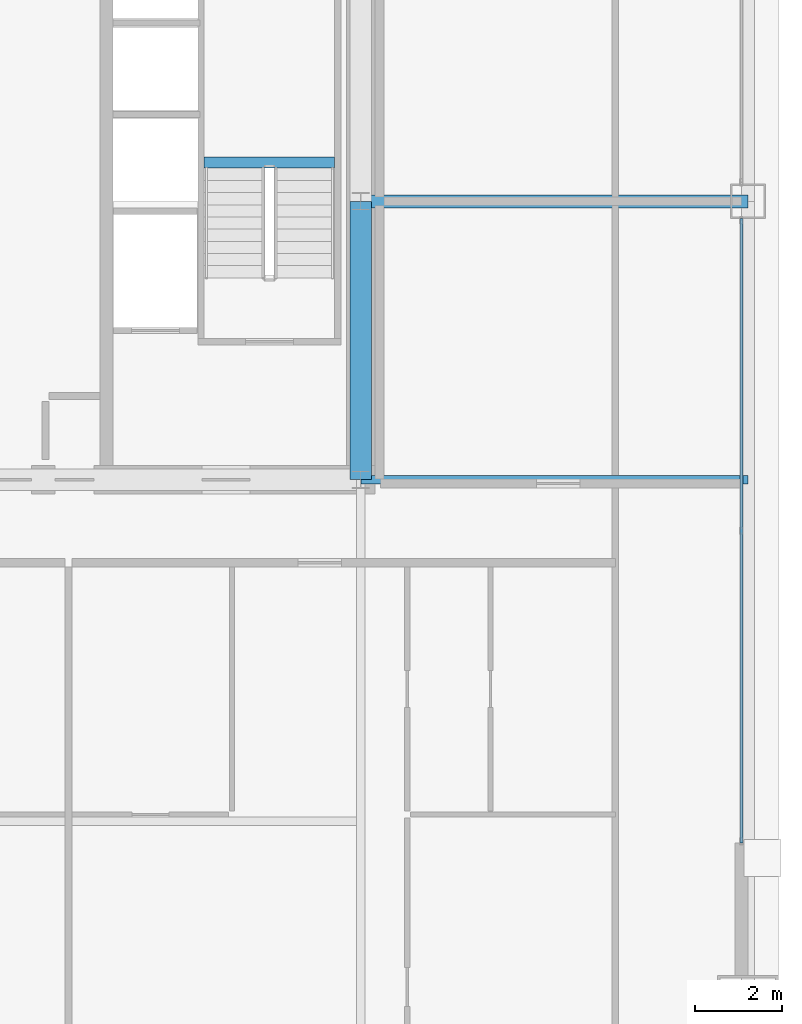
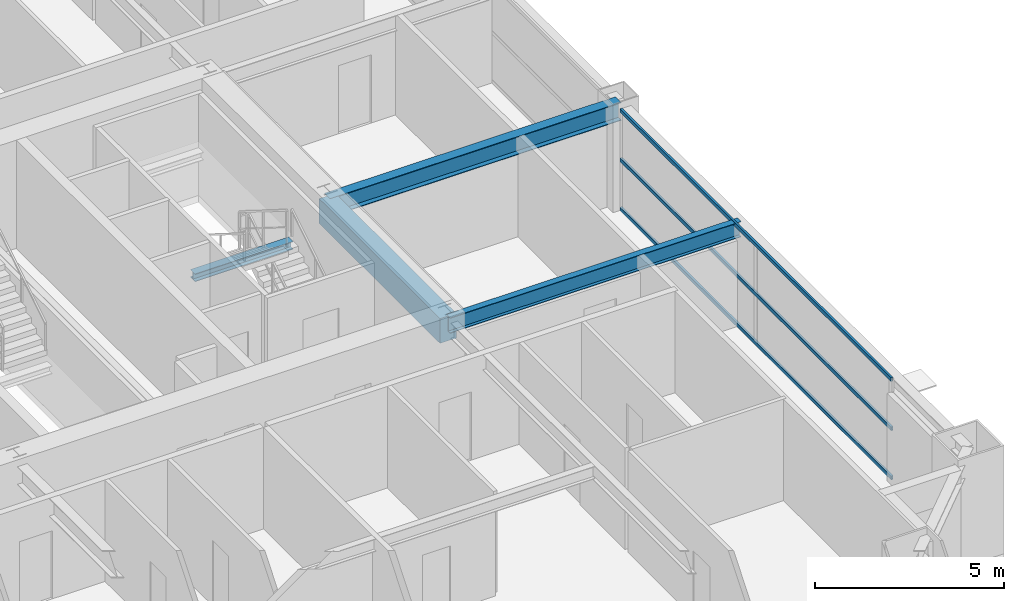
# One storey, part 19 of 38: 4 beams, 3 members, 1 element without a shape of its own.
"""IFC4 building model written with IfcOpenShell, lengths in metres."""

from ifc_helpers import new_model, si_unit, direction, frame, origin, origin_2d, place, context, subcontext, project, spatial, rectangle, hollow_rectangle, i_section, extrude, source, transform, mapped, material, layer, layer_set, material_profile, profile_set, type_object, element, aggregate, save


model = new_model("IFC4")

# Units and contexts
model_context = context("Model", 3, precision=1e-05, world=origin(), true_north=direction((0.0, 1.0)))
body_context = subcontext(model_context, "Body", "Model", "MODEL_VIEW")
ifc_project = project(units=[si_unit("LENGTHUNIT", "METRE"), si_unit("AREAUNIT", "SQUARE_METRE"), si_unit("VOLUMEUNIT", "CUBIC_METRE"), si_unit("PLANEANGLEUNIT", "RADIAN"), si_unit("MASSUNIT", "GRAM", prefix="KILO"), si_unit("THERMODYNAMICTEMPERATUREUNIT", "KELVIN"), si_unit("POWERUNIT", "WATT")], contexts=[model_context])

# Site, building, storey
site_placement = place(None, origin())
site = spatial("IfcSite", under=ifc_project, at=site_placement, CompositionType="ELEMENT")
building_placement = place(site_placement, origin())
building = spatial("IfcBuilding", under=site, at=building_placement, Name="Yuzanri Waterfront Tower", CompositionType="ELEMENT")
storey_placement = place(building_placement, frame((0.0, 0.0, 202.0)))
storey = spatial("IfcBuildingStorey", under=building, at=storey_placement, Name="L53", CompositionType="ELEMENT", Elevation=202.0)

# Beams
ifc_material_1 = material(Name="Steel Q355B", Category="steel")
ifc_material_profile_1 = material_profile(ifc_material_1, i_section(OverallWidth=0.300048828125, OverallDepth=0.587890625, WebThickness=0.011962890625, FlangeThickness=0.02001953125, at=origin_2d()), Name="HM 588x300x12x20")
ifc_profile_set_1 = profile_set([ifc_material_profile_1], Name="Steel Q355B")
beam_type_1 = type_object("IfcBeamType", Name="Primary Floor Girder Q355B HM 588x300", PredefinedType="BEAM", material=ifc_profile_set_1)
shared_shape_1 = source(origin(), body_context, "Body", "SweptSolid", [
    extrude(i_section(OverallWidth=0.300048828125, OverallDepth=0.587890625, WebThickness=0.011962890625, FlangeThickness=0.02001953125, at=origin_2d()), origin(), (0.0, 0.0, 1.0), 8.900146484375),
])
beam_1_placement = place(storey_placement, frame((50.199951171875, 25.800048828125, 2.986083984375), z_axis=(1.0, 0.0, 0.0), x_axis=(0.0, 1.0, 0.0)))
element("IfcBeam", 1, at=beam_1_placement, inside=storey, type_object=beam_type_1, Name="L53 East Grid Girder", PredefinedType="BEAM", context=body_context, shape_type="MappedRepresentation", body=[
    mapped(shared_shape_1, transform((0.0, 0.0, 0.0), scale=1.0)),
])
ifc_material_2 = material(Name="Steel Q355B", Category="steel")
ifc_material_profile_2 = material_profile(ifc_material_2, i_section(OverallWidth=0.199951171875, OverallDepth=0.5, WebThickness=0.010009765625, FlangeThickness=0.01611328125, at=origin_2d()), Name="HN 500x200x10x16")
ifc_profile_set_2 = profile_set([ifc_material_profile_2], Name="Steel Q355B")
beam_type_2 = type_object("IfcBeamType", Name="Secondary Floor Beam Q355B HN 500x200", PredefinedType="BEAM", material=ifc_profile_set_2)
shared_shape_2 = source(origin(), body_context, "Body", "SweptSolid", [
    extrude(i_section(OverallWidth=0.199951171875, OverallDepth=0.5, WebThickness=0.010009765625, FlangeThickness=0.01611328125, at=origin_2d()), origin(), (0.0, 0.0, 1.0), 8.900146484375),
])
beam_2_placement = place(storey_placement, frame((50.199951171875, 19.39990234375, 3.030029296875), z_axis=(1.0, 0.0, 0.0), x_axis=(0.0, 1.0, 0.0)))
element("IfcBeam", 2, at=beam_2_placement, inside=storey, type_object=beam_type_2, Name="L53 East-South Core Line Beam", PredefinedType="BEAM", context=body_context, shape_type="MappedRepresentation", body=[
    mapped(shared_shape_2, transform((0.0, 0.0, 0.0), scale=1.0)),
])
ifc_material_3 = material(Name="Concrete C50", Category="concrete")
ifc_material_profile_3 = material_profile(ifc_material_3, rectangle(XDim=0.5, YDim=0.800048828125, at=origin_2d()), Name="RC 500x800")
ifc_profile_set_3 = profile_set([ifc_material_profile_3], Name="Concrete C50")
beam_type_3 = type_object("IfcBeamType", Name="Core Coupling Lintel Concrete C50 500x800", PredefinedType="LINTEL", material=ifc_profile_set_3)
shared_shape_3 = source(origin(), body_context, "Body", "SweptSolid", [
    extrude(rectangle(XDim=0.5, YDim=0.800048828125, at=origin_2d()), origin(), (0.0, 0.0, 1.0), 6.400146484375),
])
beam_3_placement = place(storey_placement, frame((50.199951171875, 19.39990234375, 2.8798828125), z_axis=(0.0, 1.0, 0.0), x_axis=(-1.0, 0.0, 0.0)))
element("IfcBeam", 3, at=beam_3_placement, inside=storey, type_object=beam_type_3, Name="L53 Core Tie Beam CE1", PredefinedType="LINTEL", context=body_context, shape_type="MappedRepresentation", body=[
    mapped(shared_shape_3, transform((0.0, 0.0, 0.0), scale=1.0)),
])

# Curtain wall, members
ifc_material_4 = material(Name="Anodized Architectural Bronze", Category="metal")
ifc_layer = layer(ifc_material_4, 0.159912109375)
ifc_layer_set = layer_set([ifc_layer], Name="Anodized Architectural Bronze")
curtain_wall_type = type_object("IfcCurtainWallType", Name="Anodized Bronze Mid-Rise Residential Acoustic Unitized Curtain Wall 7200", PredefinedType="NOTDEFINED", material=ifc_layer_set)
curtain_wall_placement = place(storey_placement, origin())
curtain_wall = element("IfcCurtainWall", 4, at=curtain_wall_placement, inside=storey, type_object=curtain_wall_type, Name="L53 Curtain Wall CW-L53-EL", PredefinedType="NOTDEFINED")
ifc_material_5 = material(Name="Anodized Architectural Bronze", Category="metal")
ifc_material_profile_4 = material_profile(ifc_material_5, hollow_rectangle(XDim=0.06494140625, YDim=0.1201171875, WallThickness=0.00341796875, at=origin_2d()), Name="CWT 65x120")
ifc_profile_set_4 = profile_set([ifc_material_profile_4], Name="Anodized Architectural Bronze")
member_type = type_object("IfcMemberType", Name="Anodized Bronze Secondary Curtain-Wall Transom 65x120", PredefinedType="USERDEFINED", material=ifc_profile_set_4)
shared_shape_4 = source(origin(), body_context, "Body", "SweptSolid", [
    extrude(hollow_rectangle(XDim=0.06494140625, YDim=0.1201171875, WallThickness=0.00341796875, at=origin_2d()), origin(), (0.0, 0.0, 1.0), 14.349853515625),
])
member_1_placement = place(storey_placement, frame((58.949951171875, 11.050048828125, 0.050048828125), z_axis=(0.0, 1.0, 0.0), x_axis=(-1.0, 0.0, 0.0)))
member_1 = element("IfcMember", 5, at=member_1_placement, type_object=member_type, Name="CW-L53-EL Transom 1", ObjectType="TRANSOM", PredefinedType="USERDEFINED", context=body_context, shape_type="MappedRepresentation", body=[
    mapped(shared_shape_4, transform((0.0, 0.0, 0.0), scale=1.0)),
])
member_2_placement = place(storey_placement, frame((58.949951171875, 11.050048828125, 1.639892578125), z_axis=(0.0, 1.0, 0.0), x_axis=(-1.0, 0.0, 0.0)))
member_2 = element("IfcMember", 6, at=member_2_placement, type_object=member_type, Name="CW-L53-EL Transom 2", ObjectType="TRANSOM", PredefinedType="USERDEFINED", context=body_context, shape_type="MappedRepresentation", body=[
    mapped(shared_shape_4, transform((0.0, 0.0, 0.0), scale=1.0)),
])
member_3_placement = place(storey_placement, frame((58.949951171875, 11.050048828125, 3.22998046875), z_axis=(0.0, 1.0, 0.0), x_axis=(-1.0, 0.0, 0.0)))
member_3 = element("IfcMember", 7, at=member_3_placement, type_object=member_type, Name="CW-L53-EL Transom 3", ObjectType="TRANSOM", PredefinedType="USERDEFINED", context=body_context, shape_type="MappedRepresentation", body=[
    mapped(shared_shape_4, transform((0.0, 0.0, 0.0), scale=1.0)),
])
aggregate(curtain_wall, [member_1, member_2, member_3])

# Beam
ifc_material_6 = material(Name="Steel Q355B", Category="steel")
ifc_material_profile_5 = material_profile(ifc_material_6, i_section(OverallWidth=0.25, OverallDepth=0.25, WebThickness=0.009033203125, FlangeThickness=0.013916015625, at=origin_2d()), Name="HW 250x250x9x14")
ifc_profile_set_5 = profile_set([ifc_material_profile_5], Name="Steel Q355B")
beam_type_4 = type_object("IfcBeamType", Name="Stair Landing Support Beam Q355B HW 250x250", PredefinedType="BEAM", material=ifc_profile_set_5)
shared_shape_5 = source(origin(), body_context, "Body", "SweptSolid", [
    extrude(i_section(OverallWidth=0.25, OverallDepth=0.25, WebThickness=0.009033203125, FlangeThickness=0.013916015625, at=origin_2d()), origin(), (0.0, 0.0, 1.0), 3.0),
])
beam_4_placement = place(storey_placement, frame((46.60009765625, 26.68994140625, 1.425048828125), z_axis=(1.0, 0.0, 0.0), x_axis=(0.0, 1.0, 0.0)))
element("IfcBeam", 8, at=beam_4_placement, inside=storey, type_object=beam_type_4, Name="L53 Stair Landing Support Beam ST-02-L53-L1-1", PredefinedType="BEAM", context=body_context, shape_type="MappedRepresentation", body=[
    mapped(shared_shape_5, transform((0.0, 0.0, 0.0), scale=1.0)),
])

save(model, "model.ifc")
